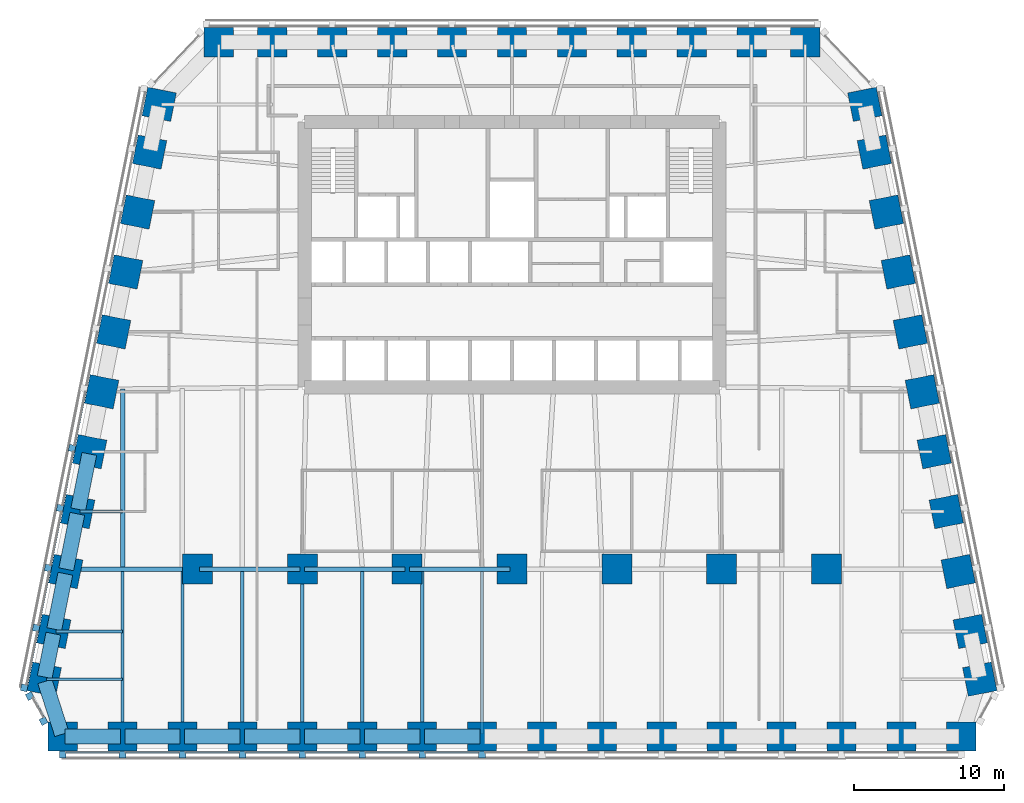
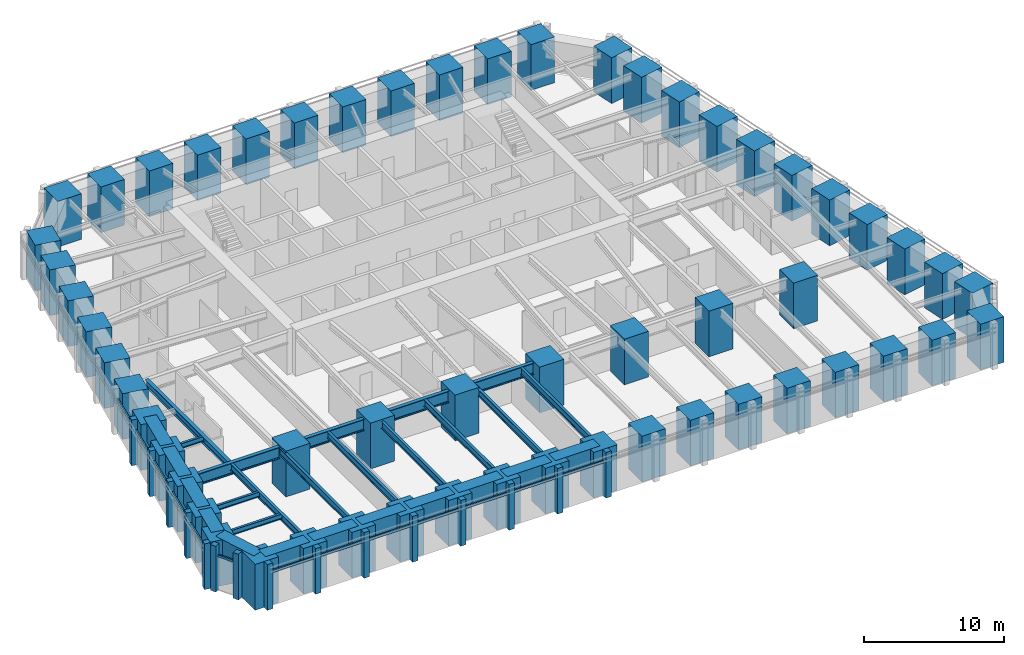
# One storey, part 1 of 10: 56 columns, 28 members, 27 beams, 3 elements without a shape of their own.
"""IFC4 building model written with IfcOpenShell, lengths in metres."""

from ifc_helpers import new_model, si_unit, direction, frame, origin, origin_2d, place, context, subcontext, project, spatial, rectangle, i_section, extrude, material, material_profile, profile_set, type_object, element, aggregate, save


model = new_model("IFC4")

# Units and contexts
model_context = context("Model", 3, precision=1e-05, world=origin(), true_north=direction((0.0, 1.0)))
body_context = subcontext(model_context, "Body", "Model", "MODEL_VIEW")
ifc_project = project(units=[si_unit("LENGTHUNIT", "METRE"), si_unit("AREAUNIT", "SQUARE_METRE"), si_unit("VOLUMEUNIT", "CUBIC_METRE"), si_unit("PLANEANGLEUNIT", "RADIAN"), si_unit("MASSUNIT", "GRAM", prefix="KILO")], contexts=[model_context])

# Site, building, storey
site_placement = place(None, origin())
site = spatial("IfcSite", under=ifc_project, at=site_placement, CompositionType="ELEMENT")
building_placement = place(site_placement, origin())
building = spatial("IfcBuilding", under=site, at=building_placement, Name="Isbrekke Arena Tower", CompositionType="ELEMENT")
storey_placement = place(building_placement, frame((0.0, 0.0, 64.0)))
storey = spatial("IfcBuildingStorey", under=building, at=storey_placement, Name="L13", CompositionType="ELEMENT", Elevation=64.0)

# Columns
ifc_material_1 = material(Name="Concrete B90 (C90/105)", Category="concrete")
ifc_material_profile_1 = material_profile(ifc_material_1, rectangle(XDim=2.0, YDim=2.0, at=origin_2d()), Name="RC 2000x2000")
ifc_profile_set_1 = profile_set([ifc_material_profile_1], Name="Concrete B90 (C90/105)")
column_type_1 = type_object("IfcColumnType", Name="C11 RC 2000 x 2000", PredefinedType="COLUMN", material=ifc_profile_set_1)
for number, where, z_axis, x_axis, name in (
    (1, (-21.0, -6.0, 0.0), (0.0, 0.0, 1.0), (1.0, 0.0, 0.0), "C11 I01"),
    (2, (-14.0, -6.0, 0.0), (0.0, 0.0, 1.0), (1.0, 0.0, 0.0), "C11 I02"),
    (3, (-7.0, -6.0, 0.0), (0.0, 0.0, 1.0), (1.0, 0.0, 0.0), "C11 I03"),
    (4, (0.0, -6.0, 0.0), (0.0, 0.0, 1.0), (1.0, 0.0, 0.0), "C11 I04"),
    (5, (7.0, -6.0, 0.0), (0.0, 0.0, 1.0), (1.0, 0.0, 0.0), "C11 I05"),
    (6, (14.0, -6.0, 0.0), (0.0, 0.0, 1.0), (1.0, 0.0, 0.0), "C11 I06"),
    (7, (21.0, -6.0, 0.0), (0.0, 0.0, 1.0), (1.0, 0.0, 0.0), "C11 I07"),
):
    element("IfcColumn", number, at=place(storey_placement, frame(where, z_axis=z_axis, x_axis=x_axis)), inside=storey, type_object=column_type_1, Name=name, PredefinedType="COLUMN", context=body_context, shape_type="SweptSolid", body=[
        extrude(rectangle(XDim=2.0, YDim=2.0, at=origin_2d()), origin(), (0.0, 0.0, 1.0), 4.0),
    ])
ifc_material_2 = material(Name="Concrete B90 (C90/105)", Category="concrete")
ifc_material_profile_2 = material_profile(ifc_material_2, rectangle(XDim=1.949951171875, YDim=1.949951171875, at=origin_2d()), Name="RC 1950x1950")
ifc_profile_set_2 = profile_set([ifc_material_profile_2], Name="Concrete B90 (C90/105)")
column_type_2 = type_object("IfcColumnType", Name="C2 RC 1950 x 1950", PredefinedType="COLUMN", material=ifc_profile_set_2)
for number, where, z_axis, x_axis, name in (
    (8, (-30.0, -17.175048828125, 0.0), (0.0, 0.0, 1.0), (1.0, 0.0, 0.0), "C2 S01"),
    (9, (-26.0, -17.175048828125, 0.0), (0.0, 0.0, 1.0), (1.0, 0.0, 0.0), "C2 S02"),
    (10, (-22.0, -17.175048828125, 0.0), (0.0, 0.0, 1.0), (1.0, 0.0, 0.0), "C2 S03"),
    (11, (-18.0, -17.175048828125, 0.0), (0.0, 0.0, 1.0), (1.0, 0.0, 0.0), "C2 S04"),
    (12, (-14.0, -17.175048828125, 0.0), (0.0, 0.0, 1.0), (1.0, 0.0, 0.0), "C2 S05"),
    (13, (-10.0, -17.175048828125, 0.0), (0.0, 0.0, 1.0), (1.0, 0.0, 0.0), "C2 S06"),
    (14, (-6.0, -17.175048828125, 0.0), (0.0, 0.0, 1.0), (1.0, 0.0, 0.0), "C2 S07"),
    (15, (-2.0, -17.175048828125, 0.0), (0.0, 0.0, 1.0), (1.0, 0.0, 0.0), "C2 S08"),
    (16, (2.0, -17.175048828125, 0.0), (0.0, 0.0, 1.0), (1.0, 0.0, 0.0), "C2 S09"),
    (17, (6.0, -17.175048828125, 0.0), (0.0, 0.0, 1.0), (1.0, 0.0, 0.0), "C2 S10"),
    (18, (10.0, -17.175048828125, 0.0), (0.0, 0.0, 1.0), (1.0, 0.0, 0.0), "C2 S11"),
    (19, (14.0, -17.175048828125, 0.0), (0.0, 0.0, 1.0), (1.0, 0.0, 0.0), "C2 S12"),
    (20, (18.0, -17.175048828125, 0.0), (0.0, 0.0, 1.0), (1.0, 0.0, 0.0), "C2 S13"),
    (21, (22.0, -17.175048828125, 0.0), (0.0, 0.0, 1.0), (1.0, 0.0, 0.0), "C2 S14"),
    (22, (26.0, -17.175048828125, 0.0), (0.0, 0.0, 1.0), (1.0, 0.0, 0.0), "C2 S15"),
    (23, (30.0, -17.175048828125, 0.0), (0.0, 0.0, 1.0), (1.0, 0.0, 0.0), "C2 S16"),
    (24, (31.229248046875, -13.352783203125, 0.0), (0.0, 0.0, 1.0), (-0.196116135138, 0.980580675691, 0.0), "C2 E01"),
    (25, (30.591064453125, -10.161865234375, 0.0), (0.0, 0.0, 1.0), (-0.196116135138, 0.980580675691, 0.0), "C2 E02"),
    (26, (29.791015625, -6.161865234375, 0.0), (0.0, 0.0, 1.0), (-0.196116135138, 0.980580675691, 0.0), "C2 E03"),
    (27, (28.990966796875, -2.161865234375, 0.0), (0.0, 0.0, 1.0), (-0.196116135138, 0.980580675691, 0.0), "C2 E04"),
    (28, (28.19091796875, 1.838134765625, 0.0), (0.0, 0.0, 1.0), (-0.196116135138, 0.980580675691, 0.0), "C2 E05"),
    (29, (27.39111328125, 5.838134765625, 0.0), (0.0, 0.0, 1.0), (-0.196116135138, 0.980580675691, 0.0), "C2 E06"),
    (30, (26.591064453125, 9.838134765625, 0.0), (0.0, 0.0, 1.0), (-0.196116135138, 0.980580675691, 0.0), "C2 E07"),
    (31, (25.791015625, 13.838134765625, 0.0), (0.0, 0.0, 1.0), (-0.196116135138, 0.980580675691, 0.0), "C2 E08"),
    (32, (24.990966796875, 17.838134765625, 0.0), (0.0, 0.0, 1.0), (-0.196116135138, 0.980580675691, 0.0), "C2 E09"),
    (33, (24.19091796875, 21.838134765625, 0.0), (0.0, 0.0, 1.0), (-0.196116135138, 0.980580675691, 0.0), "C2 E10"),
    (34, (23.552734375, 25.029296875, 0.0), (0.0, 0.0, 1.0), (-0.196116135138, 0.980580675691, 0.0), "C2 E11"),
    (35, (19.574951171875, 29.175048828125, 0.0), (0.0, 0.0, 1.0), (-1.0, 0.0, 0.0), "C2 N01"),
    (36, (16.0, 29.175048828125, 0.0), (0.0, 0.0, 1.0), (-1.0, 0.0, 0.0), "C2 N02"),
    (37, (12.0, 29.175048828125, 0.0), (0.0, 0.0, 1.0), (-1.0, 0.0, 0.0), "C2 N03"),
    (38, (8.0, 29.175048828125, 0.0), (0.0, 0.0, 1.0), (-1.0, 0.0, 0.0), "C2 N04"),
    (39, (4.0, 29.175048828125, 0.0), (0.0, 0.0, 1.0), (-1.0, 0.0, 0.0), "C2 N05"),
    (40, (0.0, 29.175048828125, 0.0), (0.0, 0.0, 1.0), (-1.0, 0.0, 0.0), "C2 N06"),
    (41, (-4.0, 29.175048828125, 0.0), (0.0, 0.0, 1.0), (-1.0, 0.0, 0.0), "C2 N07"),
    (42, (-8.0, 29.175048828125, 0.0), (0.0, 0.0, 1.0), (-1.0, 0.0, 0.0), "C2 N08"),
    (43, (-12.0, 29.175048828125, 0.0), (0.0, 0.0, 1.0), (-1.0, 0.0, 0.0), "C2 N09"),
    (44, (-16.0, 29.175048828125, 0.0), (0.0, 0.0, 1.0), (-1.0, 0.0, 0.0), "C2 N10"),
    (45, (-19.574951171875, 29.175048828125, 0.0), (0.0, 0.0, 1.0), (-1.0, 0.0, 0.0), "C2 N11"),
    (46, (-23.552734375, 25.029296875, 0.0), (0.0, 0.0, 1.0), (-0.196116135138, -0.980580675691, 0.0), "C2 W01"),
    (47, (-24.19091796875, 21.838134765625, 0.0), (0.0, 0.0, 1.0), (-0.196116135138, -0.980580675691, 0.0), "C2 W02"),
    (48, (-24.990966796875, 17.838134765625, 0.0), (0.0, 0.0, 1.0), (-0.196116135138, -0.980580675691, 0.0), "C2 W03"),
    (49, (-25.791015625, 13.838134765625, 0.0), (0.0, 0.0, 1.0), (-0.196116135138, -0.980580675691, 0.0), "C2 W04"),
    (50, (-26.591064453125, 9.838134765625, 0.0), (0.0, 0.0, 1.0), (-0.196116135138, -0.980580675691, 0.0), "C2 W05"),
    (51, (-27.39111328125, 5.838134765625, 0.0), (0.0, 0.0, 1.0), (-0.196116135138, -0.980580675691, 0.0), "C2 W06"),
    (52, (-28.19091796875, 1.838134765625, 0.0), (0.0, 0.0, 1.0), (-0.196116135138, -0.980580675691, 0.0), "C2 W07"),
    (53, (-28.990966796875, -2.161865234375, 0.0), (0.0, 0.0, 1.0), (-0.196116135138, -0.980580675691, 0.0), "C2 W08"),
    (54, (-29.791015625, -6.161865234375, 0.0), (0.0, 0.0, 1.0), (-0.196116135138, -0.980580675691, 0.0), "C2 W09"),
    (55, (-30.591064453125, -10.161865234375, 0.0), (0.0, 0.0, 1.0), (-0.196116135138, -0.980580675691, 0.0), "C2 W10"),
    (56, (-31.229248046875, -13.352783203125, 0.0), (0.0, 0.0, 1.0), (-0.196116135138, -0.980580675691, 0.0), "C2 W11"),
):
    element("IfcColumn", number, at=place(storey_placement, frame(where, z_axis=z_axis, x_axis=x_axis)), inside=storey, type_object=column_type_2, Name=name, PredefinedType="COLUMN", context=body_context, shape_type="SweptSolid", body=[
        extrude(rectangle(XDim=1.949951171875, YDim=1.949951171875, at=origin_2d()), origin(), (0.0, 0.0, 1.0), 4.0),
    ])

# Beams
ifc_material_3 = material(Name="Steel S355", Category="steel")
ifc_material_profile_3 = material_profile(ifc_material_3, i_section(OverallWidth=0.219970703125, OverallDepth=0.60009765625, WebThickness=0.011962890625, FlangeThickness=0.01904296875, FilletRadius=0.02392578125, at=origin_2d()), Name="IPE 600")
ifc_profile_set_3 = profile_set([ifc_material_profile_3], Name="Steel S355")
beam_type_1 = type_object("IfcBeamType", Name="B1 IPE 600", PredefinedType="BEAM", material=ifc_profile_set_3)
for number, where, z_axis, x_axis, name in (
    (57, (-26.0, -17.02490234375, 3.550048828125), (0.0, 1.0, 0.0), (-1.0, 0.0, 0.0), "B1 beam S-S02 L13"),
    (58, (-22.0, -17.02490234375, 3.550048828125), (0.0, 1.0, 0.0), (-1.0, 0.0, 0.0), "B1 beam S-S03 L13"),
    (59, (-18.0, -17.02490234375, 3.550048828125), (0.0, 1.0, 0.0), (-1.0, 0.0, 0.0), "B1 beam S-S04 L13"),
):
    element("IfcBeam", number, at=place(storey_placement, frame(where, z_axis=z_axis, x_axis=x_axis)), inside=storey, type_object=beam_type_1, Name=name, PredefinedType="BEAM", context=body_context, shape_type="SweptSolid", body=[
        extrude(i_section(OverallWidth=0.219970703125, OverallDepth=0.60009765625, WebThickness=0.011962890625, FlangeThickness=0.01904296875, FilletRadius=0.02392578125, at=origin_2d()), origin(), (0.0, 0.0, 1.0), 10.8740234375),
    ])
beam_1_placement = place(storey_placement, frame((-14.0, -17.02490234375, 3.550048828125), z_axis=(0.0, 1.0, 0.0), x_axis=(-1.0, 0.0, 0.0)))
element("IfcBeam", 60, at=beam_1_placement, inside=storey, type_object=beam_type_1, Name="B1 beam S-S05 L13", PredefinedType="BEAM", context=body_context, shape_type="SweptSolid", body=[
    extrude(i_section(OverallWidth=0.219970703125, OverallDepth=0.60009765625, WebThickness=0.011962890625, FlangeThickness=0.01904296875, FilletRadius=0.02392578125, at=origin_2d()), origin(), (0.0, 0.0, 1.0), 10.875),
])
for number, where, z_axis, x_axis, name in (
    (61, (-10.0, -17.02490234375, 3.550048828125), (0.0, 1.0, 0.0), (-1.0, 0.0, 0.0), "B1 beam S-S06 L13"),
    (62, (-6.0, -17.02490234375, 3.550048828125), (0.0, 1.0, 0.0), (-1.0, 0.0, 0.0), "B1 beam S-S07 L13"),
    (63, (-2.0, -17.02490234375, 3.550048828125), (0.0, 1.0, 0.0), (-1.0, 0.0, 0.0), "B1 beam S-S08 L13"),
):
    element("IfcBeam", number, at=place(storey_placement, frame(where, z_axis=z_axis, x_axis=x_axis)), inside=storey, type_object=beam_type_1, Name=name, PredefinedType="BEAM", context=body_context, shape_type="SweptSolid", body=[
        extrude(i_section(OverallWidth=0.219970703125, OverallDepth=0.60009765625, WebThickness=0.011962890625, FlangeThickness=0.01904296875, FilletRadius=0.02392578125, at=origin_2d()), origin(), (0.0, 0.0, 1.0), 10.8740234375),
    ])
ifc_material_4 = material(Name="Steel S355", Category="steel")
ifc_material_profile_4 = material_profile(ifc_material_4, i_section(OverallWidth=0.18994140625, OverallDepth=0.449951171875, WebThickness=0.009521484375, FlangeThickness=0.0146484375, FilletRadius=0.02099609375, at=origin_2d()), Name="IPE 450")
ifc_profile_set_4 = profile_set([ifc_material_profile_4], Name="Steel S355")
beam_type_2 = type_object("IfcBeamType", Name="B2 IPE 450", PredefinedType="BEAM", material=ifc_profile_set_4)
beam_2_placement = place(storey_placement, frame((-28.841064453125, -2.161865234375, 3.625), z_axis=(1.0, 0.0, 0.0), x_axis=(0.0, 1.0, 0.0)))
element("IfcBeam", 64, at=beam_2_placement, inside=storey, type_object=beam_type_2, Name="B2 beam E-W08 L13", PredefinedType="BEAM", context=body_context, shape_type="SweptSolid", body=[
    extrude(i_section(OverallWidth=0.18994140625, OverallDepth=0.449951171875, WebThickness=0.009521484375, FlangeThickness=0.0146484375, FilletRadius=0.02099609375, at=origin_2d()), origin(), (0.0, 0.0, 1.0), 2.841064453125),
])
beam_3_placement = place(storey_placement, frame((-30.44091796875, -10.161865234375, 3.625), z_axis=(1.0, 0.0, 0.0), x_axis=(0.0, 1.0, 0.0)))
element("IfcBeam", 65, at=beam_3_placement, inside=storey, type_object=beam_type_2, Name="B2 beam E-W10 L13", PredefinedType="BEAM", context=body_context, shape_type="SweptSolid", body=[
    extrude(i_section(OverallWidth=0.18994140625, OverallDepth=0.449951171875, WebThickness=0.009521484375, FlangeThickness=0.0146484375, FilletRadius=0.02099609375, at=origin_2d()), origin(), (0.0, 0.0, 1.0), 4.44091796875),
])
beam_4_placement = place(storey_placement, frame((-31.079345703125, -13.352783203125, 3.625), z_axis=(1.0, 0.0, 0.0), x_axis=(0.0, 1.0, 0.0)))
element("IfcBeam", 66, at=beam_4_placement, inside=storey, type_object=beam_type_2, Name="B2 beam E-W11 L13", PredefinedType="BEAM", context=body_context, shape_type="SweptSolid", body=[
    extrude(i_section(OverallWidth=0.18994140625, OverallDepth=0.449951171875, WebThickness=0.009521484375, FlangeThickness=0.0146484375, FilletRadius=0.02099609375, at=origin_2d()), origin(), (0.0, 0.0, 1.0), 5.079345703125),
])
ifc_material_5 = material(Name="Steel S355", Category="steel")
ifc_material_profile_5 = material_profile(ifc_material_5, i_section(OverallWidth=0.300048828125, OverallDepth=0.60009765625, WebThickness=0.015380859375, FlangeThickness=0.030029296875, FilletRadius=0.027099609375, at=origin_2d()), Name="HEB 600")
ifc_profile_set_5 = profile_set([ifc_material_profile_5], Name="Steel S355")
beam_type_3 = type_object("IfcBeamType", Name="B7 HEB 600", PredefinedType="BEAM", material=ifc_profile_set_5)
beam_5_placement = place(storey_placement, frame((-26.0, -5.84912109375, 3.550048828125), z_axis=(0.0, 1.0, 0.0), x_axis=(-1.0, 0.0, 0.0)))
element("IfcBeam", 67, at=beam_5_placement, inside=storey, type_object=beam_type_3, Name="B7 beam C-M01 L13", PredefinedType="BEAM", context=body_context, shape_type="SweptSolid", body=[
    extrude(i_section(OverallWidth=0.300048828125, OverallDepth=0.60009765625, WebThickness=0.015380859375, FlangeThickness=0.030029296875, FilletRadius=0.027099609375, at=origin_2d()), origin(), (0.0, 0.0, 1.0), 11.864990234375),
])

# Curtain wall, members
ifc_material_6 = material(Name="Glazed aluminium curtain wall", Category="aluminium")
curtain_wall_type = type_object("IfcCurtainWallType", Name="CWL TOWER CURTAIN WALL LOW ZONE", PredefinedType="USERDEFINED", material=ifc_material_6)
curtain_wall_1_placement = place(storey_placement, origin())
curtain_wall_1 = element("IfcCurtainWall", 68, at=curtain_wall_1_placement, inside=storey, type_object=curtain_wall_type, Name="CWL curtain wall L13-S", ObjectType="TOWER CURTAIN WALL LOW ZONE", PredefinedType="USERDEFINED")
ifc_material_7 = material(Name="Aluminium mullion, pale brick slip cladding", Category="masonry")
ifc_material_profile_6 = material_profile(ifc_material_7, rectangle(XDim=0.449951171875, YDim=0.449951171875, at=origin_2d()), Name="PIER 450X450")
ifc_profile_set_6 = profile_set([ifc_material_profile_6], Name="Aluminium mullion, pale brick slip cladding")
member_type_1 = type_object("IfcMemberType", Name="CWL-M PIER MULLION 450 x 450", PredefinedType="MULLION", material=ifc_profile_set_6)
member_1_placement = place(storey_placement, frame((-30.0, -18.375, 0.0), z_axis=(0.0, 0.0, 1.0), x_axis=(1.0, 0.0, 0.0)))
member_1 = element("IfcMember", 69, at=member_1_placement, type_object=member_type_1, Name="CWL-M mullion 1", PredefinedType="MULLION", context=body_context, shape_type="SweptSolid", body=[
    extrude(rectangle(XDim=0.449951171875, YDim=0.449951171875, at=origin_2d()), origin(), (0.0, 0.0, 1.0), 4.0),
])
member_2_placement = place(storey_placement, frame((-26.0, -18.375, 0.0), z_axis=(0.0, 0.0, 1.0), x_axis=(1.0, 0.0, 0.0)))
member_2 = element("IfcMember", 70, at=member_2_placement, type_object=member_type_1, Name="CWL-M mullion 2", PredefinedType="MULLION", context=body_context, shape_type="SweptSolid", body=[
    extrude(rectangle(XDim=0.449951171875, YDim=0.449951171875, at=origin_2d()), origin(), (0.0, 0.0, 1.0), 4.0),
])
member_3_placement = place(storey_placement, frame((-22.0, -18.375, 0.0), z_axis=(0.0, 0.0, 1.0), x_axis=(1.0, 0.0, 0.0)))
member_3 = element("IfcMember", 71, at=member_3_placement, type_object=member_type_1, Name="CWL-M mullion 3", PredefinedType="MULLION", context=body_context, shape_type="SweptSolid", body=[
    extrude(rectangle(XDim=0.449951171875, YDim=0.449951171875, at=origin_2d()), origin(), (0.0, 0.0, 1.0), 4.0),
])
member_4_placement = place(storey_placement, frame((-18.0, -18.375, 0.0), z_axis=(0.0, 0.0, 1.0), x_axis=(1.0, 0.0, 0.0)))
member_4 = element("IfcMember", 72, at=member_4_placement, type_object=member_type_1, Name="CWL-M mullion 4", PredefinedType="MULLION", context=body_context, shape_type="SweptSolid", body=[
    extrude(rectangle(XDim=0.449951171875, YDim=0.449951171875, at=origin_2d()), origin(), (0.0, 0.0, 1.0), 4.0),
])
member_5_placement = place(storey_placement, frame((-14.0, -18.375, 0.0), z_axis=(0.0, 0.0, 1.0), x_axis=(1.0, 0.0, 0.0)))
member_5 = element("IfcMember", 73, at=member_5_placement, type_object=member_type_1, Name="CWL-M mullion 5", PredefinedType="MULLION", context=body_context, shape_type="SweptSolid", body=[
    extrude(rectangle(XDim=0.449951171875, YDim=0.449951171875, at=origin_2d()), origin(), (0.0, 0.0, 1.0), 4.0),
])
member_6_placement = place(storey_placement, frame((-10.0, -18.375, 0.0), z_axis=(0.0, 0.0, 1.0), x_axis=(1.0, 0.0, 0.0)))
member_6 = element("IfcMember", 74, at=member_6_placement, type_object=member_type_1, Name="CWL-M mullion 6", PredefinedType="MULLION", context=body_context, shape_type="SweptSolid", body=[
    extrude(rectangle(XDim=0.449951171875, YDim=0.449951171875, at=origin_2d()), origin(), (0.0, 0.0, 1.0), 4.0),
])
member_7_placement = place(storey_placement, frame((-6.0, -18.375, 0.0), z_axis=(0.0, 0.0, 1.0), x_axis=(1.0, 0.0, 0.0)))
member_7 = element("IfcMember", 75, at=member_7_placement, type_object=member_type_1, Name="CWL-M mullion 7", PredefinedType="MULLION", context=body_context, shape_type="SweptSolid", body=[
    extrude(rectangle(XDim=0.449951171875, YDim=0.449951171875, at=origin_2d()), origin(), (0.0, 0.0, 1.0), 4.0),
])
member_8_placement = place(storey_placement, frame((-2.0, -18.375, 0.0), z_axis=(0.0, 0.0, 1.0), x_axis=(1.0, 0.0, 0.0)))
member_8 = element("IfcMember", 76, at=member_8_placement, type_object=member_type_1, Name="CWL-M mullion 8", PredefinedType="MULLION", context=body_context, shape_type="SweptSolid", body=[
    extrude(rectangle(XDim=0.449951171875, YDim=0.449951171875, at=origin_2d()), origin(), (0.0, 0.0, 1.0), 4.0),
])

curtain_wall_2_placement = place(storey_placement, origin())
curtain_wall_2 = element("IfcCurtainWall", 77, at=curtain_wall_2_placement, inside=storey, type_object=curtain_wall_type, Name="CWL curtain wall L13-W", ObjectType="TOWER CURTAIN WALL LOW ZONE", PredefinedType="USERDEFINED")
member_9_placement = place(storey_placement, frame((-29.36767578125, 2.073486328125, 0.0), z_axis=(0.0, 0.0, 1.0), x_axis=(-0.196116135138, -0.980580675691, 0.0)))
member_9 = element("IfcMember", 78, at=member_9_placement, type_object=member_type_1, Name="CWL-M mullion 7", PredefinedType="MULLION", context=body_context, shape_type="SweptSolid", body=[
    extrude(rectangle(XDim=0.449951171875, YDim=0.449951171875, at=origin_2d()), origin(), (0.0, 0.0, 1.0), 4.0),
])
member_10_placement = place(storey_placement, frame((-30.167724609375, -1.926513671875, 0.0), z_axis=(0.0, 0.0, 1.0), x_axis=(-0.196116135138, -0.980580675691, 0.0)))
member_10 = element("IfcMember", 79, at=member_10_placement, type_object=member_type_1, Name="CWL-M mullion 8", PredefinedType="MULLION", context=body_context, shape_type="SweptSolid", body=[
    extrude(rectangle(XDim=0.449951171875, YDim=0.449951171875, at=origin_2d()), origin(), (0.0, 0.0, 1.0), 4.0),
])
member_11_placement = place(storey_placement, frame((-30.9677734375, -5.926513671875, 0.0), z_axis=(0.0, 0.0, 1.0), x_axis=(-0.196116135138, -0.980580675691, 0.0)))
member_11 = element("IfcMember", 80, at=member_11_placement, type_object=member_type_1, Name="CWL-M mullion 9", PredefinedType="MULLION", context=body_context, shape_type="SweptSolid", body=[
    extrude(rectangle(XDim=0.449951171875, YDim=0.449951171875, at=origin_2d()), origin(), (0.0, 0.0, 1.0), 4.0),
])
member_12_placement = place(storey_placement, frame((-31.767822265625, -9.926513671875, 0.0), z_axis=(0.0, 0.0, 1.0), x_axis=(-0.196116135138, -0.980580675691, 0.0)))
member_12 = element("IfcMember", 81, at=member_12_placement, type_object=member_type_1, Name="CWL-M mullion 10", PredefinedType="MULLION", context=body_context, shape_type="SweptSolid", body=[
    extrude(rectangle(XDim=0.449951171875, YDim=0.449951171875, at=origin_2d()), origin(), (0.0, 0.0, 1.0), 4.0),
])
member_13_placement = place(storey_placement, frame((-32.567626953125, -13.926513671875, 0.0), z_axis=(0.0, 0.0, 1.0), x_axis=(-0.196116135138, -0.980580675691, 0.0)))
member_13 = element("IfcMember", 82, at=member_13_placement, type_object=member_type_1, Name="CWL-M mullion 11", PredefinedType="MULLION", context=body_context, shape_type="SweptSolid", body=[
    extrude(rectangle(XDim=0.449951171875, YDim=0.449951171875, at=origin_2d()), origin(), (0.0, 0.0, 1.0), 4.0),
])

curtain_wall_3_placement = place(storey_placement, origin())
curtain_wall_3 = element("IfcCurtainWall", 83, at=curtain_wall_3_placement, inside=storey, type_object=curtain_wall_type, Name="CWL curtain wall L13-WS", ObjectType="TOWER CURTAIN WALL LOW ZONE", PredefinedType="USERDEFINED")
member_14_placement = place(storey_placement, frame((-32.19580078125, -14.474609375, 0.0), z_axis=(0.0, 0.0, 1.0), x_axis=(0.481918749773, -0.876215908676, 0.0)))
member_14 = element("IfcMember", 84, at=member_14_placement, type_object=member_type_1, Name="CWL-M mullion 1", PredefinedType="MULLION", context=body_context, shape_type="SweptSolid", body=[
    extrude(rectangle(XDim=0.449951171875, YDim=0.449951171875, at=origin_2d()), origin(), (0.0, 0.0, 1.0), 4.0),
])
member_15_placement = place(storey_placement, frame((-31.277587890625, -16.14404296875, 0.0), z_axis=(0.0, 0.0, 1.0), x_axis=(0.481918749773, -0.876215908676, 0.0)))
member_15 = element("IfcMember", 85, at=member_15_placement, type_object=member_type_1, Name="CWL-M mullion 2", PredefinedType="MULLION", context=body_context, shape_type="SweptSolid", body=[
    extrude(rectangle(XDim=0.449951171875, YDim=0.449951171875, at=origin_2d()), origin(), (0.0, 0.0, 1.0), 4.0),
])

# Member
ifc_material_8 = material(Name="Aluminium transom", Category="aluminium")
ifc_material_profile_7 = material_profile(ifc_material_8, rectangle(XDim=0.1201171875, YDim=0.199951171875, at=origin_2d()), Name="TRANSOM 120X200")
ifc_profile_set_7 = profile_set([ifc_material_profile_7], Name="Aluminium transom")
member_type_2 = type_object("IfcMemberType", Name="CWL-T TRANSOM 120 x 200", PredefinedType="USERDEFINED", material=ifc_profile_set_7)
member_16_placement = place(storey_placement, frame((-29.77490234375, -18.25, 3.0), z_axis=(1.0, 0.0, 0.0), x_axis=(0.0, 1.0, 0.0)))
member_16 = element("IfcMember", 86, at=member_16_placement, type_object=member_type_2, Name="CWL-T transom 1", ObjectType="TRANSOM", PredefinedType="USERDEFINED", context=body_context, shape_type="SweptSolid", body=[
    extrude(rectangle(XDim=0.1201171875, YDim=0.199951171875, at=origin_2d()), origin(), (0.0, 0.0, 1.0), 3.5498046875),
])

member_17_placement = place(storey_placement, frame((-25.77490234375, -18.25, 3.0), z_axis=(1.0, 0.0, 0.0), x_axis=(0.0, 1.0, 0.0)))
member_17 = element("IfcMember", 87, at=member_17_placement, type_object=member_type_2, Name="CWL-T transom 2", ObjectType="TRANSOM", PredefinedType="USERDEFINED", context=body_context, shape_type="SweptSolid", body=[
    extrude(rectangle(XDim=0.1201171875, YDim=0.199951171875, at=origin_2d()), origin(), (0.0, 0.0, 1.0), 3.5498046875),
])

member_18_placement = place(storey_placement, frame((-21.77490234375, -18.25, 3.0), z_axis=(1.0, 0.0, 0.0), x_axis=(0.0, 1.0, 0.0)))
member_18 = element("IfcMember", 88, at=member_18_placement, type_object=member_type_2, Name="CWL-T transom 3", ObjectType="TRANSOM", PredefinedType="USERDEFINED", context=body_context, shape_type="SweptSolid", body=[
    extrude(rectangle(XDim=0.1201171875, YDim=0.199951171875, at=origin_2d()), origin(), (0.0, 0.0, 1.0), 3.5498046875),
])

member_19_placement = place(storey_placement, frame((-17.77490234375, -18.25, 3.0), z_axis=(1.0, 0.0, 0.0), x_axis=(0.0, 1.0, 0.0)))
member_19 = element("IfcMember", 89, at=member_19_placement, type_object=member_type_2, Name="CWL-T transom 4", ObjectType="TRANSOM", PredefinedType="USERDEFINED", context=body_context, shape_type="SweptSolid", body=[
    extrude(rectangle(XDim=0.1201171875, YDim=0.199951171875, at=origin_2d()), origin(), (0.0, 0.0, 1.0), 3.5498046875),
])

member_20_placement = place(storey_placement, frame((-13.77490234375, -18.25, 3.0), z_axis=(1.0, 0.0, 0.0), x_axis=(0.0, 1.0, 0.0)))
member_20 = element("IfcMember", 90, at=member_20_placement, type_object=member_type_2, Name="CWL-T transom 5", ObjectType="TRANSOM", PredefinedType="USERDEFINED", context=body_context, shape_type="SweptSolid", body=[
    extrude(rectangle(XDim=0.1201171875, YDim=0.199951171875, at=origin_2d()), origin(), (0.0, 0.0, 1.0), 3.5498046875),
])

member_21_placement = place(storey_placement, frame((-9.77490234375, -18.25, 3.0), z_axis=(1.0, 0.0, 0.0), x_axis=(0.0, 1.0, 0.0)))
member_21 = element("IfcMember", 91, at=member_21_placement, type_object=member_type_2, Name="CWL-T transom 6", ObjectType="TRANSOM", PredefinedType="USERDEFINED", context=body_context, shape_type="SweptSolid", body=[
    extrude(rectangle(XDim=0.1201171875, YDim=0.199951171875, at=origin_2d()), origin(), (0.0, 0.0, 1.0), 3.5498046875),
])

member_22_placement = place(storey_placement, frame((-5.77490234375, -18.25, 3.0), z_axis=(1.0, 0.0, 0.0), x_axis=(0.0, 1.0, 0.0)))
member_22 = element("IfcMember", 92, at=member_22_placement, type_object=member_type_2, Name="CWL-T transom 7", ObjectType="TRANSOM", PredefinedType="USERDEFINED", context=body_context, shape_type="SweptSolid", body=[
    extrude(rectangle(XDim=0.1201171875, YDim=0.199951171875, at=origin_2d()), origin(), (0.0, 0.0, 1.0), 3.5498046875),
])

aggregate(curtain_wall_1, [member_1, member_2, member_3, member_4, member_5, member_6, member_7, member_8, member_16, member_17, member_18, member_19, member_20, member_21, member_22])

member_23_placement = place(storey_placement, frame((-28.4892578125, 5.828369140625, 3.0), z_axis=(-0.196103197847, -0.98058326306, 0.0), x_axis=(0.98058326306, -0.196103197847, 0.0)))
member_23 = element("IfcMember", 93, at=member_23_placement, type_object=member_type_2, Name="CWL-T transom 6", ObjectType="TRANSOM", PredefinedType="USERDEFINED", context=body_context, shape_type="SweptSolid", body=[
    extrude(rectangle(XDim=0.1201171875, YDim=0.199951171875, at=origin_2d()), origin(), (0.0, 0.0, 1.0), 3.629150390625),
])

member_24_placement = place(storey_placement, frame((-29.289306640625, 1.828369140625, 3.0), z_axis=(-0.196103197847, -0.98058326306, 0.0), x_axis=(0.98058326306, -0.196103197847, 0.0)))
member_24 = element("IfcMember", 94, at=member_24_placement, type_object=member_type_2, Name="CWL-T transom 7", ObjectType="TRANSOM", PredefinedType="USERDEFINED", context=body_context, shape_type="SweptSolid", body=[
    extrude(rectangle(XDim=0.1201171875, YDim=0.199951171875, at=origin_2d()), origin(), (0.0, 0.0, 1.0), 3.629150390625),
])

member_25_placement = place(storey_placement, frame((-30.08935546875, -2.171630859375, 3.0), z_axis=(-0.196103197847, -0.98058326306, 0.0), x_axis=(0.98058326306, -0.196103197847, 0.0)))
member_25 = element("IfcMember", 95, at=member_25_placement, type_object=member_type_2, Name="CWL-T transom 8", ObjectType="TRANSOM", PredefinedType="USERDEFINED", context=body_context, shape_type="SweptSolid", body=[
    extrude(rectangle(XDim=0.1201171875, YDim=0.199951171875, at=origin_2d()), origin(), (0.0, 0.0, 1.0), 3.629150390625),
])

member_26_placement = place(storey_placement, frame((-30.88916015625, -6.171630859375, 3.0), z_axis=(-0.196167883278, -0.980570324643, 0.0), x_axis=(0.980570324643, -0.196167883278, 0.0)))
member_26 = element("IfcMember", 96, at=member_26_placement, type_object=member_type_2, Name="CWL-T transom 9", ObjectType="TRANSOM", PredefinedType="USERDEFINED", context=body_context, shape_type="SweptSolid", body=[
    extrude(rectangle(XDim=0.1201171875, YDim=0.199951171875, at=origin_2d()), origin(), (0.0, 0.0, 1.0), 3.629150390625),
])

member_27_placement = place(storey_placement, frame((-31.689208984375, -10.171630859375, 3.0), z_axis=(-0.196167883278, -0.980570324643, 0.0), x_axis=(0.980570324643, -0.196167883278, 0.0)))
member_27 = element("IfcMember", 97, at=member_27_placement, type_object=member_type_2, Name="CWL-T transom 10", ObjectType="TRANSOM", PredefinedType="USERDEFINED", context=body_context, shape_type="SweptSolid", body=[
    extrude(rectangle(XDim=0.1201171875, YDim=0.199951171875, at=origin_2d()), origin(), (0.0, 0.0, 1.0), 3.629150390625),
])

aggregate(curtain_wall_2, [member_9, member_10, member_11, member_12, member_13, member_23, member_24, member_25, member_26, member_27])

member_28_placement = place(storey_placement, frame((-31.977783203125, -14.611572265625, 3.0), z_axis=(0.481905867223, -0.876222993955, 0.0), x_axis=(0.876222993955, 0.481905867223, 0.0)))
member_28 = element("IfcMember", 98, at=member_28_placement, type_object=member_type_2, Name="CWL-T transom 1", ObjectType="TRANSOM", PredefinedType="USERDEFINED", context=body_context, shape_type="SweptSolid", body=[
    extrude(rectangle(XDim=0.1201171875, YDim=0.199951171875, at=origin_2d()), origin(), (0.0, 0.0, 1.0), 1.455078125),
])

aggregate(curtain_wall_3, [member_14, member_15, member_28])

# Beams
ifc_material_9 = material(Name="Steel S355", Category="steel")
ifc_material_profile_8 = material_profile(ifc_material_9, i_section(OverallWidth=0.302001953125, OverallDepth=1.008056640625, WebThickness=0.02099609375, FlangeThickness=0.0400390625, FilletRadius=0.030029296875, at=origin_2d()), Name="HEM 1000")
ifc_profile_set_8 = profile_set([ifc_material_profile_8], Name="Steel S355")
beam_type_4 = type_object("IfcBeamType", Name="G1 HEM 1000", PredefinedType="BEAM", material=ifc_profile_set_8)
beam_6_placement = place(storey_placement, frame((-29.791015625, -6.0, 3.345947265625), z_axis=(1.0, 0.0, 0.0), x_axis=(0.0, 1.0, 0.0)))
element("IfcBeam", 99, at=beam_6_placement, inside=storey, type_object=beam_type_4, Name="G1 beam G1-01 L13", PredefinedType="BEAM", context=body_context, shape_type="SweptSolid", body=[
    extrude(i_section(OverallWidth=0.302001953125, OverallDepth=1.008056640625, WebThickness=0.02099609375, FlangeThickness=0.0400390625, FilletRadius=0.030029296875, at=origin_2d()), origin(), (0.0, 0.0, 1.0), 8.64111328125),
])
for number, where, z_axis, x_axis, name in (
    (100, (-20.85009765625, -6.0, 3.345947265625), (1.0, 0.0, 0.0), (0.0, 1.0, 0.0), "G1 beam G1-02 L13"),
    (101, (-13.85009765625, -6.0, 3.345947265625), (1.0, 0.0, 0.0), (0.0, 1.0, 0.0), "G1 beam G1-03 L13"),
    (102, (-6.85009765625, -6.0, 3.345947265625), (1.0, 0.0, 0.0), (0.0, 1.0, 0.0), "G1 beam G1-04 L13"),
):
    element("IfcBeam", number, at=place(storey_placement, frame(where, z_axis=z_axis, x_axis=x_axis)), inside=storey, type_object=beam_type_4, Name=name, PredefinedType="BEAM", context=body_context, shape_type="SweptSolid", body=[
        extrude(i_section(OverallWidth=0.302001953125, OverallDepth=1.008056640625, WebThickness=0.02099609375, FlangeThickness=0.0400390625, FilletRadius=0.030029296875, at=origin_2d()), origin(), (0.0, 0.0, 1.0), 6.7001953125),
    ])
ifc_material_10 = material(Name="Concrete B90 (C90/105)", Category="concrete")
ifc_material_profile_9 = material_profile(ifc_material_10, rectangle(XDim=1.0, YDim=1.60009765625, at=origin_2d()), Name="RC 1000x1600")
ifc_profile_set_9 = profile_set([ifc_material_profile_9], Name="Concrete B90 (C90/105)")
beam_type_5 = type_object("IfcBeamType", Name="SB1 RC 1000 x 1600", PredefinedType="SPANDREL", material=ifc_profile_set_9)
for number, where, z_axis, x_axis, name in (
    (103, (-29.85009765625, -17.175048828125, 3.199951171875), (1.0, 0.0, 0.0), (0.0, 1.0, 0.0), "SB1 spandrel S01-S02 L13"),
    (104, (-25.85009765625, -17.175048828125, 3.199951171875), (1.0, 0.0, 0.0), (0.0, 1.0, 0.0), "SB1 spandrel S02-S03 L13"),
    (105, (-21.85009765625, -17.175048828125, 3.199951171875), (1.0, 0.0, 0.0), (0.0, 1.0, 0.0), "SB1 spandrel S03-S04 L13"),
    (106, (-17.85009765625, -17.175048828125, 3.199951171875), (1.0, 0.0, 0.0), (0.0, 1.0, 0.0), "SB1 spandrel S04-S05 L13"),
    (107, (-13.85009765625, -17.175048828125, 3.199951171875), (1.0, 0.0, 0.0), (0.0, 1.0, 0.0), "SB1 spandrel S05-S06 L13"),
    (108, (-9.85009765625, -17.175048828125, 3.199951171875), (1.0, 0.0, 0.0), (0.0, 1.0, 0.0), "SB1 spandrel S06-S07 L13"),
    (109, (-5.85009765625, -17.175048828125, 3.199951171875), (1.0, 0.0, 0.0), (0.0, 1.0, 0.0), "SB1 spandrel S07-S08 L13"),
):
    element("IfcBeam", number, at=place(storey_placement, frame(where, z_axis=z_axis, x_axis=x_axis)), inside=storey, type_object=beam_type_5, Name=name, PredefinedType="SPANDREL", context=body_context, shape_type="SweptSolid", body=[
        extrude(rectangle(XDim=1.0, YDim=1.60009765625, at=origin_2d()), origin(), (0.0, 0.0, 1.0), 3.7001953125),
    ])
for number, where, z_axis, x_axis, name in (
    (110, (-28.220458984375, 1.691162109375, 3.199951171875), (-0.196128558387, -0.980578190959, 0.0), (0.980578190959, -0.196128558387, 0.0), "SB1 spandrel W07-W08 L13"),
    (111, (-29.0205078125, -2.308837890625, 3.199951171875), (-0.196128558387, -0.980578190959, 0.0), (0.980578190959, -0.196128558387, 0.0), "SB1 spandrel W08-W09 L13"),
):
    element("IfcBeam", number, at=place(storey_placement, frame(where, z_axis=z_axis, x_axis=x_axis)), inside=storey, type_object=beam_type_5, Name=name, PredefinedType="SPANDREL", context=body_context, shape_type="SweptSolid", body=[
        extrude(rectangle(XDim=1.0, YDim=1.60009765625, at=origin_2d()), origin(), (0.0, 0.0, 1.0), 3.779296875),
    ])
beam_7_placement = place(storey_placement, frame((-29.820556640625, -6.308837890625, 3.199951171875), z_axis=(-0.1960664412, -0.980590613169, 0.0), x_axis=(0.980590613169, -0.1960664412, 0.0)))
element("IfcBeam", 112, at=beam_7_placement, inside=storey, type_object=beam_type_5, Name="SB1 spandrel W09-W10 L13", PredefinedType="SPANDREL", context=body_context, shape_type="SweptSolid", body=[
    extrude(rectangle(XDim=1.0, YDim=1.60009765625, at=origin_2d()), origin(), (0.0, 0.0, 1.0), 3.779052734375),
])
beam_8_placement = place(storey_placement, frame((-30.620361328125, -10.308837890625, 3.199951171875), z_axis=(-0.196100243168, -0.980583853951, 0.0), x_axis=(0.980583853951, -0.196100243168, 0.0)))
element("IfcBeam", 113, at=beam_8_placement, inside=storey, type_object=beam_type_5, Name="SB1 spandrel W10-W11 L13", PredefinedType="SPANDREL", context=body_context, shape_type="SweptSolid", body=[
    extrude(rectangle(XDim=1.0, YDim=1.60009765625, at=origin_2d()), origin(), (0.0, 0.0, 1.0), 2.954345703125),
])
beam_9_placement = place(storey_placement, frame((-31.183349609375, -13.49560546875, 3.199951171875), z_axis=(0.306175101476, -0.951975213562, 0.0), x_axis=(0.951975213562, 0.306175101476, 0.0)))
element("IfcBeam", 114, at=beam_9_placement, inside=storey, type_object=beam_type_5, Name="SB1 spandrel W11-S01 L13", PredefinedType="SPANDREL", context=body_context, shape_type="SweptSolid", body=[
    extrude(rectangle(XDim=1.0, YDim=1.60009765625, at=origin_2d()), origin(), (0.0, 0.0, 1.0), 3.715087890625),
])

save(model, "model.ifc")
